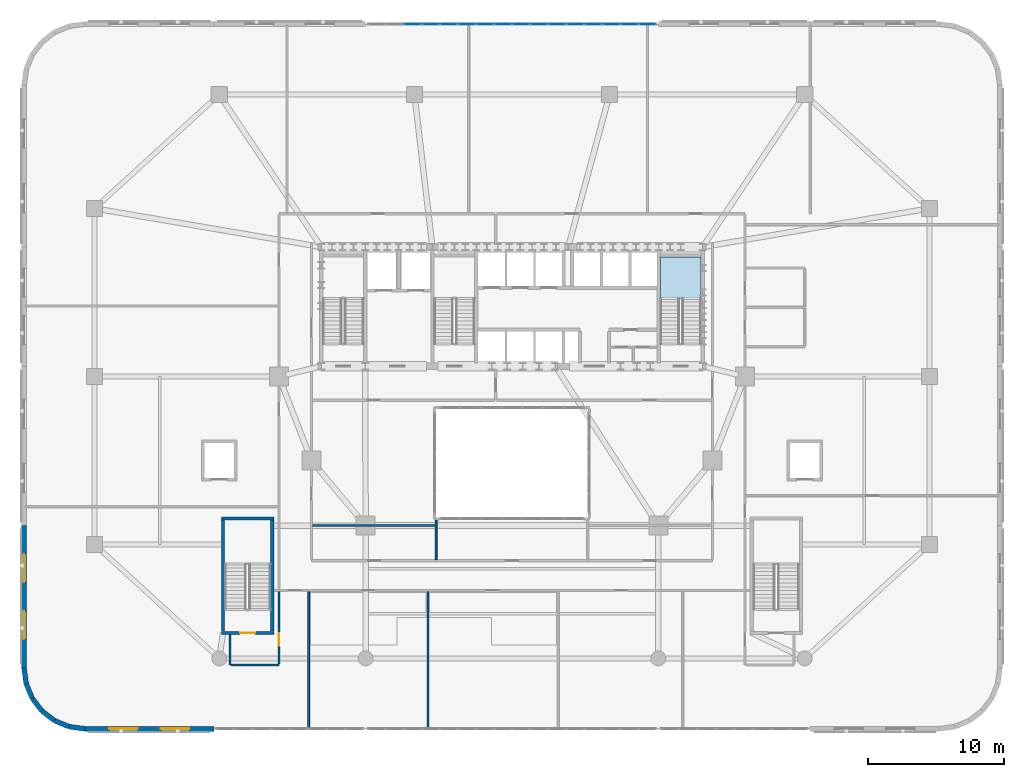
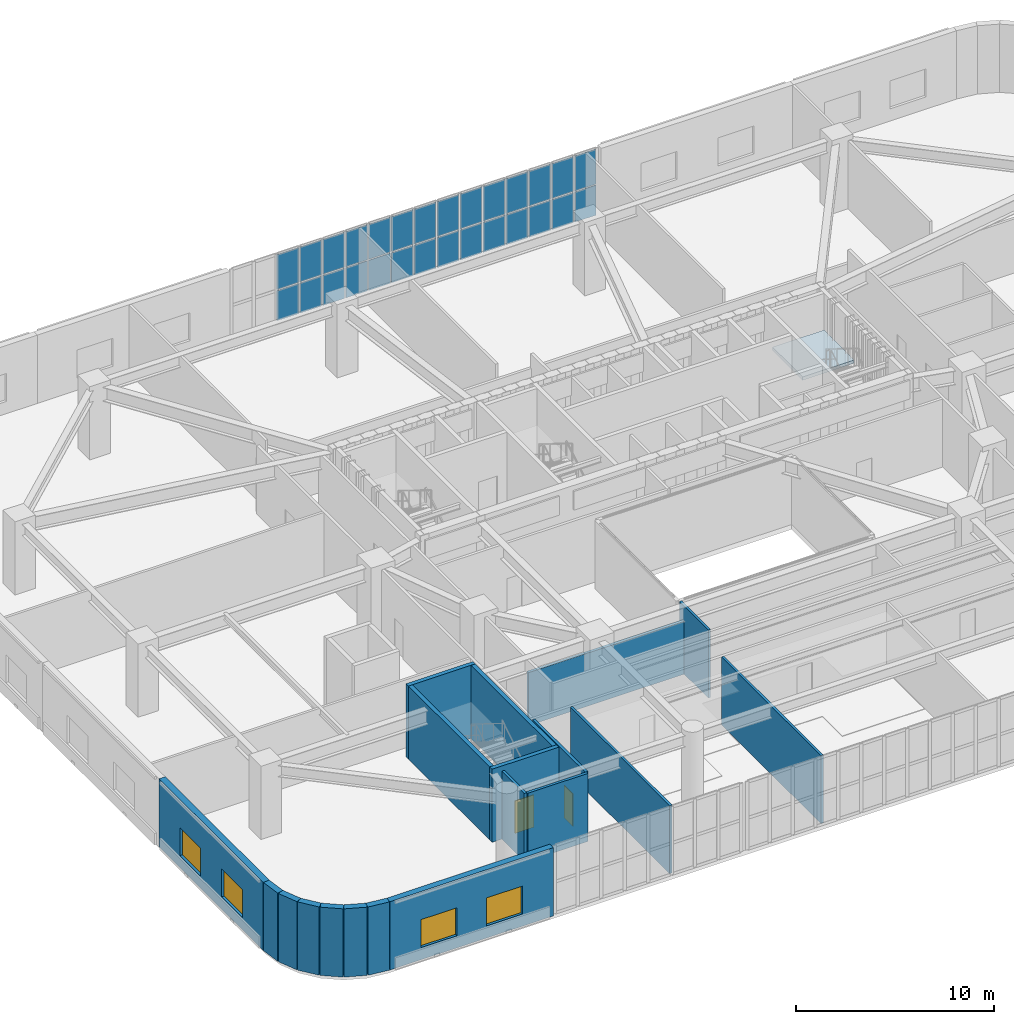
# One storey, part 13 of 25: 28 plates, 19 walls, 4 windows, 2 doors, 1 slab, 6 openings, 2 elements without a shape of their own.
"""IFC4 building model written with IfcOpenShell, lengths in metres."""

from ifc_helpers import new_model, si_unit, direction, frame, frame_2d, origin, origin_2d, place, context, subcontext, project, spatial, polyline, rectangle, outline, extrude, material, layer, layer_set, type_object, element, fill, aggregate, save


model = new_model("IFC4")

# Units and contexts
model_context = context("Model", 3, precision=1e-05, world=origin(), true_north=direction((0.0, 1.0)))
body_context = subcontext(model_context, "Body", "Model", "MODEL_VIEW")
ifc_project = project(units=[si_unit("LENGTHUNIT", "METRE"), si_unit("AREAUNIT", "SQUARE_METRE"), si_unit("VOLUMEUNIT", "CUBIC_METRE"), si_unit("PLANEANGLEUNIT", "RADIAN"), si_unit("MASSUNIT", "GRAM", prefix="KILO")], contexts=[model_context])

# Site, building, storey
site_placement = place(None, origin())
site = spatial("IfcSite", under=ifc_project, at=site_placement, CompositionType="ELEMENT")
building_placement = place(site_placement, origin())
building = spatial("IfcBuilding", under=site, at=building_placement, Name="Haldorwick Loom Tower", CompositionType="ELEMENT")
storey_placement = place(building_placement, frame((0.0, 0.0, 15.0)))
storey = spatial("IfcBuildingStorey", under=building, at=storey_placement, Name="L03", CompositionType="ELEMENT", Elevation=15.0)

# Curtain wall, plates
ifc_material_1 = material(Name="Thermally Broken Anodized Aluminium Curtain Wall Framing", Category="aluminium")
curtain_wall_type = type_object("IfcCurtainWallType", Name="ARC-CW-02", PredefinedType="NOTDEFINED", material=ifc_material_1)
curtain_wall_placement = place(storey_placement, origin())
curtain_wall = element("IfcCurtainWall", 1, at=curtain_wall_placement, inside=storey, type_object=curtain_wall_type, Name="L03 Facade Curtain Wall CW-02 Bay 19", PredefinedType="NOTDEFINED")
ifc_material_2 = material(Name="Triple-Glazed Low-E Argon Insulated Glazing Unit", Category="glass")
ifc_layer_1 = layer(ifc_material_2, 0.0400390625, Name="Triple-Glazed Low-E Argon Insulated Glazing Unit", Category="glass")
ifc_layer_set_1 = layer_set([ifc_layer_1], Name="Triple-Glazed Low-E Argon Insulated Glazing Unit")
plate_type = type_object("IfcPlateType", Name="ARC-CWP-02", PredefinedType="CURTAIN_PANEL", material=ifc_layer_set_1)
plate_1_placement = place(storey_placement, frame((45.976318359375, 52.0, 0.06982421875), z_axis=(0.0, 0.0, 1.0), x_axis=(-1.0, 0.0, 0.0)))
plate_1 = element("IfcPlate", 2, at=plate_1_placement, type_object=plate_type, Name="CW-02 panel 1.1", PredefinedType="CURTAIN_PANEL", context=body_context, shape_type="SweptSolid", body=[
    extrude(rectangle(XDim=1.2275390625, YDim=0.0400390625, at=origin_2d()), origin(), (0.0, 0.0, 1.0), 1.844970703125),
])
plate_2_placement = place(storey_placement, frame((45.976318359375, 52.0, 1.985107421875), z_axis=(0.0, 0.0, 1.0), x_axis=(-1.0, 0.0, 0.0)))
plate_2 = element("IfcPlate", 3, at=plate_2_placement, type_object=plate_type, Name="CW-02 panel 1.2", PredefinedType="CURTAIN_PANEL", context=body_context, shape_type="SweptSolid", body=[
    extrude(rectangle(XDim=1.2275390625, YDim=0.0400390625, at=origin_2d()), origin(), (0.0, 0.0, 1.0), 2.14501953125),
])
plate_3_placement = place(storey_placement, frame((44.6611328125, 52.0, 0.06982421875), z_axis=(0.0, 0.0, 1.0), x_axis=(-1.0, 0.0, 0.0)))
plate_3 = element("IfcPlate", 4, at=plate_3_placement, type_object=plate_type, Name="CW-02 panel 2.1", PredefinedType="CURTAIN_PANEL", context=body_context, shape_type="SweptSolid", body=[
    extrude(rectangle(XDim=1.262451171875, YDim=0.0400390625, at=origin_2d()), origin(), (0.0, 0.0, 1.0), 1.844970703125),
])
plate_4_placement = place(storey_placement, frame((44.6611328125, 52.0, 1.985107421875), z_axis=(0.0, 0.0, 1.0), x_axis=(-1.0, 0.0, 0.0)))
plate_4 = element("IfcPlate", 5, at=plate_4_placement, type_object=plate_type, Name="CW-02 panel 2.2", PredefinedType="CURTAIN_PANEL", context=body_context, shape_type="SweptSolid", body=[
    extrude(rectangle(XDim=1.262451171875, YDim=0.0400390625, at=origin_2d()), origin(), (0.0, 0.0, 1.0), 2.14501953125),
])
plate_5_placement = place(storey_placement, frame((43.328857421875, 52.0, 0.06982421875), z_axis=(0.0, 0.0, 1.0), x_axis=(-1.0, 0.0, 0.0)))
plate_5 = element("IfcPlate", 6, at=plate_5_placement, type_object=plate_type, Name="CW-02 panel 3.1", PredefinedType="CURTAIN_PANEL", context=body_context, shape_type="SweptSolid", body=[
    extrude(rectangle(XDim=1.262451171875, YDim=0.0400390625, at=origin_2d()), origin(), (0.0, 0.0, 1.0), 1.844970703125),
])
plate_6_placement = place(storey_placement, frame((43.328857421875, 52.0, 1.985107421875), z_axis=(0.0, 0.0, 1.0), x_axis=(-1.0, 0.0, 0.0)))
plate_6 = element("IfcPlate", 7, at=plate_6_placement, type_object=plate_type, Name="CW-02 panel 3.2", PredefinedType="CURTAIN_PANEL", context=body_context, shape_type="SweptSolid", body=[
    extrude(rectangle(XDim=1.262451171875, YDim=0.0400390625, at=origin_2d()), origin(), (0.0, 0.0, 1.0), 2.14501953125),
])
plate_7_placement = place(storey_placement, frame((41.996337890625, 52.0, 0.06982421875), z_axis=(0.0, 0.0, 1.0), x_axis=(-1.0, 0.0, 0.0)))
plate_7 = element("IfcPlate", 8, at=plate_7_placement, type_object=plate_type, Name="CW-02 panel 4.1", PredefinedType="CURTAIN_PANEL", context=body_context, shape_type="SweptSolid", body=[
    extrude(rectangle(XDim=1.262451171875, YDim=0.0400390625, at=origin_2d()), origin(), (0.0, 0.0, 1.0), 1.844970703125),
])
plate_8_placement = place(storey_placement, frame((41.996337890625, 52.0, 1.985107421875), z_axis=(0.0, 0.0, 1.0), x_axis=(-1.0, 0.0, 0.0)))
plate_8 = element("IfcPlate", 9, at=plate_8_placement, type_object=plate_type, Name="CW-02 panel 4.2", PredefinedType="CURTAIN_PANEL", context=body_context, shape_type="SweptSolid", body=[
    extrude(rectangle(XDim=1.262451171875, YDim=0.0400390625, at=origin_2d()), origin(), (0.0, 0.0, 1.0), 2.14501953125),
])
plate_9_placement = place(storey_placement, frame((40.663818359375, 52.0, 0.06982421875), z_axis=(0.0, 0.0, 1.0), x_axis=(-1.0, 0.0, 0.0)))
plate_9 = element("IfcPlate", 10, at=plate_9_placement, type_object=plate_type, Name="CW-02 panel 5.1", PredefinedType="CURTAIN_PANEL", context=body_context, shape_type="SweptSolid", body=[
    extrude(rectangle(XDim=1.262451171875, YDim=0.0400390625, at=origin_2d()), origin(), (0.0, 0.0, 1.0), 1.844970703125),
])
plate_10_placement = place(storey_placement, frame((40.663818359375, 52.0, 1.985107421875), z_axis=(0.0, 0.0, 1.0), x_axis=(-1.0, 0.0, 0.0)))
plate_10 = element("IfcPlate", 11, at=plate_10_placement, type_object=plate_type, Name="CW-02 panel 5.2", PredefinedType="CURTAIN_PANEL", context=body_context, shape_type="SweptSolid", body=[
    extrude(rectangle(XDim=1.262451171875, YDim=0.0400390625, at=origin_2d()), origin(), (0.0, 0.0, 1.0), 2.14501953125),
])
plate_11_placement = place(storey_placement, frame((39.331298828125, 52.0, 0.06982421875), z_axis=(0.0, 0.0, 1.0), x_axis=(-1.0, 0.0, 0.0)))
plate_11 = element("IfcPlate", 12, at=plate_11_placement, type_object=plate_type, Name="CW-02 panel 6.1", PredefinedType="CURTAIN_PANEL", context=body_context, shape_type="SweptSolid", body=[
    extrude(rectangle(XDim=1.262451171875, YDim=0.0400390625, at=origin_2d()), origin(), (0.0, 0.0, 1.0), 1.844970703125),
])
plate_12_placement = place(storey_placement, frame((39.331298828125, 52.0, 1.985107421875), z_axis=(0.0, 0.0, 1.0), x_axis=(-1.0, 0.0, 0.0)))
plate_12 = element("IfcPlate", 13, at=plate_12_placement, type_object=plate_type, Name="CW-02 panel 6.2", PredefinedType="CURTAIN_PANEL", context=body_context, shape_type="SweptSolid", body=[
    extrude(rectangle(XDim=1.262451171875, YDim=0.0400390625, at=origin_2d()), origin(), (0.0, 0.0, 1.0), 2.14501953125),
])
plate_13_placement = place(storey_placement, frame((37.998779296875, 52.0, 0.06982421875), z_axis=(0.0, 0.0, 1.0), x_axis=(-1.0, 0.0, 0.0)))
plate_13 = element("IfcPlate", 14, at=plate_13_placement, type_object=plate_type, Name="CW-02 panel 7.1", PredefinedType="CURTAIN_PANEL", context=body_context, shape_type="SweptSolid", body=[
    extrude(rectangle(XDim=1.262451171875, YDim=0.0400390625, at=origin_2d()), origin(), (0.0, 0.0, 1.0), 1.844970703125),
])
plate_14_placement = place(storey_placement, frame((37.998779296875, 52.0, 1.985107421875), z_axis=(0.0, 0.0, 1.0), x_axis=(-1.0, 0.0, 0.0)))
plate_14 = element("IfcPlate", 15, at=plate_14_placement, type_object=plate_type, Name="CW-02 panel 7.2", PredefinedType="CURTAIN_PANEL", context=body_context, shape_type="SweptSolid", body=[
    extrude(rectangle(XDim=1.262451171875, YDim=0.0400390625, at=origin_2d()), origin(), (0.0, 0.0, 1.0), 2.14501953125),
])
plate_15_placement = place(storey_placement, frame((36.666259765625, 52.0, 0.06982421875), z_axis=(0.0, 0.0, 1.0), x_axis=(-1.0, 0.0, 0.0)))
plate_15 = element("IfcPlate", 16, at=plate_15_placement, type_object=plate_type, Name="CW-02 panel 8.1", PredefinedType="CURTAIN_PANEL", context=body_context, shape_type="SweptSolid", body=[
    extrude(rectangle(XDim=1.262451171875, YDim=0.0400390625, at=origin_2d()), origin(), (0.0, 0.0, 1.0), 1.844970703125),
])
plate_16_placement = place(storey_placement, frame((36.666259765625, 52.0, 1.985107421875), z_axis=(0.0, 0.0, 1.0), x_axis=(-1.0, 0.0, 0.0)))
plate_16 = element("IfcPlate", 17, at=plate_16_placement, type_object=plate_type, Name="CW-02 panel 8.2", PredefinedType="CURTAIN_PANEL", context=body_context, shape_type="SweptSolid", body=[
    extrude(rectangle(XDim=1.262451171875, YDim=0.0400390625, at=origin_2d()), origin(), (0.0, 0.0, 1.0), 2.14501953125),
])
plate_17_placement = place(storey_placement, frame((35.333740234375, 52.0, 0.06982421875), z_axis=(0.0, 0.0, 1.0), x_axis=(-1.0, 0.0, 0.0)))
plate_17 = element("IfcPlate", 18, at=plate_17_placement, type_object=plate_type, Name="CW-02 panel 9.1", PredefinedType="CURTAIN_PANEL", context=body_context, shape_type="SweptSolid", body=[
    extrude(rectangle(XDim=1.262451171875, YDim=0.0400390625, at=origin_2d()), origin(), (0.0, 0.0, 1.0), 1.844970703125),
])
plate_18_placement = place(storey_placement, frame((35.333740234375, 52.0, 1.985107421875), z_axis=(0.0, 0.0, 1.0), x_axis=(-1.0, 0.0, 0.0)))
plate_18 = element("IfcPlate", 19, at=plate_18_placement, type_object=plate_type, Name="CW-02 panel 9.2", PredefinedType="CURTAIN_PANEL", context=body_context, shape_type="SweptSolid", body=[
    extrude(rectangle(XDim=1.262451171875, YDim=0.0400390625, at=origin_2d()), origin(), (0.0, 0.0, 1.0), 2.14501953125),
])
plate_19_placement = place(storey_placement, frame((34.001220703125, 52.0, 0.06982421875), z_axis=(0.0, 0.0, 1.0), x_axis=(-1.0, 0.0, 0.0)))
plate_19 = element("IfcPlate", 20, at=plate_19_placement, type_object=plate_type, Name="CW-02 panel 10.1", PredefinedType="CURTAIN_PANEL", context=body_context, shape_type="SweptSolid", body=[
    extrude(rectangle(XDim=1.262451171875, YDim=0.0400390625, at=origin_2d()), origin(), (0.0, 0.0, 1.0), 1.844970703125),
])
plate_20_placement = place(storey_placement, frame((34.001220703125, 52.0, 1.985107421875), z_axis=(0.0, 0.0, 1.0), x_axis=(-1.0, 0.0, 0.0)))
plate_20 = element("IfcPlate", 21, at=plate_20_placement, type_object=plate_type, Name="CW-02 panel 10.2", PredefinedType="CURTAIN_PANEL", context=body_context, shape_type="SweptSolid", body=[
    extrude(rectangle(XDim=1.262451171875, YDim=0.0400390625, at=origin_2d()), origin(), (0.0, 0.0, 1.0), 2.14501953125),
])
plate_21_placement = place(storey_placement, frame((32.668701171875, 52.0, 0.06982421875), z_axis=(0.0, 0.0, 1.0), x_axis=(-1.0, 0.0, 0.0)))
plate_21 = element("IfcPlate", 22, at=plate_21_placement, type_object=plate_type, Name="CW-02 panel 11.1", PredefinedType="CURTAIN_PANEL", context=body_context, shape_type="SweptSolid", body=[
    extrude(rectangle(XDim=1.262451171875, YDim=0.0400390625, at=origin_2d()), origin(), (0.0, 0.0, 1.0), 1.844970703125),
])
plate_22_placement = place(storey_placement, frame((32.668701171875, 52.0, 1.985107421875), z_axis=(0.0, 0.0, 1.0), x_axis=(-1.0, 0.0, 0.0)))
plate_22 = element("IfcPlate", 23, at=plate_22_placement, type_object=plate_type, Name="CW-02 panel 11.2", PredefinedType="CURTAIN_PANEL", context=body_context, shape_type="SweptSolid", body=[
    extrude(rectangle(XDim=1.262451171875, YDim=0.0400390625, at=origin_2d()), origin(), (0.0, 0.0, 1.0), 2.14501953125),
])
plate_23_placement = place(storey_placement, frame((31.336181640625, 52.0, 0.06982421875), z_axis=(0.0, 0.0, 1.0), x_axis=(-1.0, 0.0, 0.0)))
plate_23 = element("IfcPlate", 24, at=plate_23_placement, type_object=plate_type, Name="CW-02 panel 12.1", PredefinedType="CURTAIN_PANEL", context=body_context, shape_type="SweptSolid", body=[
    extrude(rectangle(XDim=1.262451171875, YDim=0.0400390625, at=origin_2d()), origin(), (0.0, 0.0, 1.0), 1.844970703125),
])
plate_24_placement = place(storey_placement, frame((31.336181640625, 52.0, 1.985107421875), z_axis=(0.0, 0.0, 1.0), x_axis=(-1.0, 0.0, 0.0)))
plate_24 = element("IfcPlate", 25, at=plate_24_placement, type_object=plate_type, Name="CW-02 panel 12.2", PredefinedType="CURTAIN_PANEL", context=body_context, shape_type="SweptSolid", body=[
    extrude(rectangle(XDim=1.262451171875, YDim=0.0400390625, at=origin_2d()), origin(), (0.0, 0.0, 1.0), 2.14501953125),
])
plate_25_placement = place(storey_placement, frame((30.003662109375, 52.0, 0.06982421875), z_axis=(0.0, 0.0, 1.0), x_axis=(-1.0, 0.0, 0.0)))
plate_25 = element("IfcPlate", 26, at=plate_25_placement, type_object=plate_type, Name="CW-02 panel 13.1", PredefinedType="CURTAIN_PANEL", context=body_context, shape_type="SweptSolid", body=[
    extrude(rectangle(XDim=1.262451171875, YDim=0.0400390625, at=origin_2d()), origin(), (0.0, 0.0, 1.0), 1.844970703125),
])
plate_26_placement = place(storey_placement, frame((30.003662109375, 52.0, 1.985107421875), z_axis=(0.0, 0.0, 1.0), x_axis=(-1.0, 0.0, 0.0)))
plate_26 = element("IfcPlate", 27, at=plate_26_placement, type_object=plate_type, Name="CW-02 panel 13.2", PredefinedType="CURTAIN_PANEL", context=body_context, shape_type="SweptSolid", body=[
    extrude(rectangle(XDim=1.262451171875, YDim=0.0400390625, at=origin_2d()), origin(), (0.0, 0.0, 1.0), 2.14501953125),
])
plate_27_placement = place(storey_placement, frame((28.671142578125, 52.0, 0.06982421875), z_axis=(0.0, 0.0, 1.0), x_axis=(-1.0, 0.0, 0.0)))
plate_27 = element("IfcPlate", 28, at=plate_27_placement, type_object=plate_type, Name="CW-02 panel 14.1", PredefinedType="CURTAIN_PANEL", context=body_context, shape_type="SweptSolid", body=[
    extrude(rectangle(XDim=1.262451171875, YDim=0.0400390625, at=origin_2d()), origin(), (0.0, 0.0, 1.0), 1.844970703125),
])
plate_28_placement = place(storey_placement, frame((28.671142578125, 52.0, 1.985107421875), z_axis=(0.0, 0.0, 1.0), x_axis=(-1.0, 0.0, 0.0)))
plate_28 = element("IfcPlate", 29, at=plate_28_placement, type_object=plate_type, Name="CW-02 panel 14.2", PredefinedType="CURTAIN_PANEL", context=body_context, shape_type="SweptSolid", body=[
    extrude(rectangle(XDim=1.262451171875, YDim=0.0400390625, at=origin_2d()), origin(), (0.0, 0.0, 1.0), 2.14501953125),
])
aggregate(curtain_wall, [plate_1, plate_2, plate_3, plate_4, plate_5, plate_6, plate_7, plate_8, plate_9, plate_10, plate_11, plate_12, plate_13, plate_14, plate_15, plate_16, plate_17, plate_18, plate_19, plate_20, plate_21, plate_22, plate_23, plate_24, plate_25, plate_26, plate_27, plate_28])

# Stair, slab
ifc_material_3 = material(Name="Concrete C40 (40 MPa)", Category="concrete")
stair_type = type_object("IfcStairType", Name="STR-STR-CORE", PredefinedType="HALF_TURN_STAIR", material=ifc_material_3)
stair_placement = place(storey_placement, origin())
stair = element("IfcStair", 30, at=stair_placement, inside=storey, type_object=stair_type, Name="L03 Exit Stair ST-02", PredefinedType="HALF_TURN_STAIR")
ifc_layer_2 = layer(ifc_material_3, 0.199951171875, Name="Concrete C40 (40 MPa)", Category="concrete")
ifc_layer_set_2 = layer_set([ifc_layer_2], Name="Concrete C40 (40 MPa)")
slab_type = type_object("IfcSlabType", Name="STR-SLB-LAND200", PredefinedType="LANDING", material=ifc_layer_set_2)
slab_placement = place(storey_placement, frame((0.0, 0.0, 2.050048828125)))
slab = element("IfcSlab", 31, at=slab_placement, type_object=slab_type, Name="ST-02 landing 1", PredefinedType="LANDING", context=body_context, shape_type="SweptSolid", body=[
    extrude(outline(polyline([(49.949951171875, 31.760009765625), (49.949951171875, 34.800048828125), (46.949951171875, 34.800048828125), (46.949951171875, 31.760009765625), (49.949951171875, 31.760009765625)])), origin(), (0.0, 0.0, 1.0), 0.199951171875),
])
aggregate(stair, [slab])

# Wall, openings, windows
ifc_material_4 = material(Name="Pressed Clay Face Brick and Insulated Masonry Backup Assembly", Category="masonry")
ifc_layer_3 = layer(ifc_material_4, 0.360107421875, Name="Pressed Clay Face Brick and Insulated Masonry Backup Assembly", Category="masonry")
ifc_layer_set_3 = layer_set([ifc_layer_3], Name="Pressed Clay Face Brick and Insulated Masonry Backup Assembly")
wall_type_1 = type_object("IfcWallType", Name="ARC-WL-EXT360", PredefinedType="STANDARD", material=ifc_layer_set_3)
wall_1_placement = place(storey_placement, frame((0.0, 15.0, 0.0), z_axis=(0.0, 0.0, 1.0), x_axis=(0.0, -1.0, 0.0)))
wall_1 = element("IfcWall", 32, at=wall_1_placement, inside=storey, type_object=wall_type_1, Name="L03 Brick Pier and Spandrel Wall 31", PredefinedType="STANDARD", context=body_context, shape_type="SweptSolid", body=[
    extrude(rectangle(XDim=10.5, YDim=0.360107421875, at=frame_2d((5.25, 0.0))), origin(), (0.0, 0.0, 1.0), 4.199951171875),
])
opening_1_placement = place(wall_1_placement, frame((2.10009765625, 0.0, 0.75)))
opening_1 = element("IfcOpeningElement", 33, at=opening_1_placement, cuts=wall_1, Name="Opening W-04", PredefinedType="OPENING", context=body_context, shape_type="SweptSolid", body=[
    extrude(rectangle(XDim=2.10009765625, YDim=1.719970703125, at=frame_2d((1.050048828125, 0.85986328125))), frame((0.0, 0.18994140625, 0.0), z_axis=(0.0, -1.0, 0.0), x_axis=(1.0, 0.0, 0.0)), (0.0, 0.0, 1.0), 0.380126953125),
])
opening_2_placement = place(wall_1_placement, frame((6.300048828125, 0.0, 0.75)))
opening_2 = element("IfcOpeningElement", 34, at=opening_2_placement, cuts=wall_1, Name="Opening W-04", PredefinedType="OPENING", context=body_context, shape_type="SweptSolid", body=[
    extrude(rectangle(XDim=2.10009765625, YDim=1.719970703125, at=frame_2d((1.050048828125, 0.85986328125))), frame((0.0, 0.18994140625, 0.0), z_axis=(0.0, -1.0, 0.0), x_axis=(1.0, 0.0, 0.0)), (0.0, 0.0, 1.0), 0.380126953125),
])
window_type = type_object("IfcWindowType", Name="ARC-WIN-W210", PartitioningType="SINGLE_PANEL", PredefinedType="WINDOW", material=ifc_material_2)
window_1_placement = place(opening_1_placement, origin())
window_1 = element("IfcWindow", 35, at=window_1_placement, inside=storey, type_object=window_type, Name="L03 Deep-Set Zone 7A Window 31", OverallHeight=1.719970703125, OverallWidth=2.10009765625, PartitioningType="SINGLE_PANEL", PredefinedType="WINDOW", context=body_context, shape_type="SweptSolid", body=[
    extrude(rectangle(XDim=2.10009765625, YDim=1.719970703125, at=frame_2d((1.050048828125, 0.85986328125))), frame((0.0, 0.030029296875, 0.0), z_axis=(0.0, -1.0, 0.0), x_axis=(1.0, 0.0, 0.0)), (0.0, 0.0, 1.0), 0.06005859375),
])
fill(opening_1, window_1)
window_2_placement = place(opening_2_placement, origin())
window_2 = element("IfcWindow", 36, at=window_2_placement, inside=storey, type_object=window_type, Name="L03 Deep-Set Zone 7A Window 31", OverallHeight=1.719970703125, OverallWidth=2.10009765625, PartitioningType="SINGLE_PANEL", PredefinedType="WINDOW", context=body_context, shape_type="SweptSolid", body=[
    extrude(rectangle(XDim=2.10009765625, YDim=1.719970703125, at=frame_2d((1.050048828125, 0.85986328125))), frame((0.0, 0.030029296875, 0.0), z_axis=(0.0, -1.0, 0.0), x_axis=(1.0, 0.0, 0.0)), (0.0, 0.0, 1.0), 0.06005859375),
])
fill(opening_2, window_2)

# Walls
wall_2_placement = place(storey_placement, frame((0.0, 4.5, 0.0), z_axis=(0.0, 0.0, 1.0), x_axis=(0.130502892298, -0.991447928588, 0.0)))
element("IfcWall", 37, at=wall_2_placement, inside=storey, type_object=wall_type_1, Name="L03 Brick Pier and Spandrel Wall 32", PredefinedType="STANDARD", context=body_context, shape_type="SweptSolid", body=[
    extrude(rectangle(XDim=1.1748046875, YDim=0.360107421875, at=frame_2d((0.58740234375, 0.0))), origin(), (0.0, 0.0, 1.0), 4.199951171875),
])
wall_3_placement = place(storey_placement, frame((0.1533203125, 3.335205078125, 0.0), z_axis=(0.0, 0.0, 1.0), x_axis=(0.382651625058, -0.923892706888, 0.0)))
element("IfcWall", 38, at=wall_3_placement, inside=storey, type_object=wall_type_1, Name="L03 Brick Pier and Spandrel Wall 33", PredefinedType="STANDARD", context=body_context, shape_type="SweptSolid", body=[
    extrude(rectangle(XDim=1.174560546875, YDim=0.360107421875, at=frame_2d((0.58740234375, 0.0))), origin(), (0.0, 0.0, 1.0), 4.199951171875),
])
for number, where, z_axis, x_axis, name in (
    (39, (0.602783203125, 2.25, 0.0), (0.0, 0.0, 1.0), (0.60890698735, -0.79324162823, 0.0), "L03 Brick Pier and Spandrel Wall 34"),
    (40, (1.318115234375, 1.318115234375, 0.0), (0.0, 0.0, 1.0), (0.79324162823, -0.60890698735, 0.0), "L03 Brick Pier and Spandrel Wall 35"),
):
    element("IfcWall", number, at=place(storey_placement, frame(where, z_axis=z_axis, x_axis=x_axis)), inside=storey, type_object=wall_type_1, Name=name, PredefinedType="STANDARD", context=body_context, shape_type="SweptSolid", body=[
        extrude(rectangle(XDim=1.1748046875, YDim=0.360107421875, at=frame_2d((0.58740234375, 0.0))), origin(), (0.0, 0.0, 1.0), 4.199951171875),
    ])
wall_4_placement = place(storey_placement, frame((2.25, 0.602783203125, 0.0), z_axis=(0.0, 0.0, 1.0), x_axis=(0.923892706888, -0.382651625058, 0.0)))
element("IfcWall", 41, at=wall_4_placement, inside=storey, type_object=wall_type_1, Name="L03 Brick Pier and Spandrel Wall 36", PredefinedType="STANDARD", context=body_context, shape_type="SweptSolid", body=[
    extrude(rectangle(XDim=1.174560546875, YDim=0.360107421875, at=frame_2d((0.58740234375, 0.0))), origin(), (0.0, 0.0, 1.0), 4.199951171875),
])
wall_5_placement = place(storey_placement, frame((3.335205078125, 0.1533203125, 0.0), z_axis=(0.0, 0.0, 1.0), x_axis=(0.991447928588, -0.130502892298, 0.0)))
element("IfcWall", 42, at=wall_5_placement, inside=storey, type_object=wall_type_1, Name="L03 Brick Pier and Spandrel Wall 37", PredefinedType="STANDARD", context=body_context, shape_type="SweptSolid", body=[
    extrude(rectangle(XDim=1.1748046875, YDim=0.360107421875, at=frame_2d((0.58740234375, 0.0))), origin(), (0.0, 0.0, 1.0), 4.199951171875),
])

# Wall, openings, windows
wall_6_placement = place(storey_placement, frame((4.5, 0.0, 0.0), z_axis=(0.0, 0.0, 1.0), x_axis=(1.0, 0.0, 0.0)))
wall_6 = element("IfcWall", 43, at=wall_6_placement, inside=storey, type_object=wall_type_1, Name="L03 Brick Pier and Spandrel Wall 38", PredefinedType="STANDARD", context=body_context, shape_type="SweptSolid", body=[
    extrude(rectangle(XDim=9.5, YDim=0.360107421875, at=frame_2d((4.75, 0.0))), origin(), (0.0, 0.0, 1.0), 4.199951171875),
])
opening_3_placement = place(wall_6_placement, frame((1.800048828125, 0.0, 0.75)))
opening_3 = element("IfcOpeningElement", 44, at=opening_3_placement, cuts=wall_6, Name="Opening W-04", PredefinedType="OPENING", context=body_context, shape_type="SweptSolid", body=[
    extrude(rectangle(XDim=2.10009765625, YDim=1.719970703125, at=frame_2d((1.050048828125, 0.85986328125))), frame((0.0, 0.18994140625, 0.0), z_axis=(0.0, -1.0, 0.0), x_axis=(1.0, 0.0, 0.0)), (0.0, 0.0, 1.0), 0.380126953125),
])
opening_4_placement = place(wall_6_placement, frame((5.60009765625, 0.0, 0.75)))
opening_4 = element("IfcOpeningElement", 45, at=opening_4_placement, cuts=wall_6, Name="Opening W-04", PredefinedType="OPENING", context=body_context, shape_type="SweptSolid", body=[
    extrude(rectangle(XDim=2.10009765625, YDim=1.719970703125, at=frame_2d((1.050048828125, 0.85986328125))), frame((0.0, 0.18994140625, 0.0), z_axis=(0.0, -1.0, 0.0), x_axis=(1.0, 0.0, 0.0)), (0.0, 0.0, 1.0), 0.380126953125),
])
window_3_placement = place(opening_3_placement, origin())
window_3 = element("IfcWindow", 46, at=window_3_placement, inside=storey, type_object=window_type, Name="L03 Deep-Set Zone 7A Window 38", OverallHeight=1.719970703125, OverallWidth=2.10009765625, PartitioningType="SINGLE_PANEL", PredefinedType="WINDOW", context=body_context, shape_type="SweptSolid", body=[
    extrude(rectangle(XDim=2.10009765625, YDim=1.719970703125, at=frame_2d((1.050048828125, 0.85986328125))), frame((0.0, 0.030029296875, 0.0), z_axis=(0.0, -1.0, 0.0), x_axis=(1.0, 0.0, 0.0)), (0.0, 0.0, 1.0), 0.06005859375),
])
fill(opening_3, window_3)
window_4_placement = place(opening_4_placement, origin())
window_4 = element("IfcWindow", 47, at=window_4_placement, inside=storey, type_object=window_type, Name="L03 Deep-Set Zone 7A Window 38", OverallHeight=1.719970703125, OverallWidth=2.10009765625, PartitioningType="SINGLE_PANEL", PredefinedType="WINDOW", context=body_context, shape_type="SweptSolid", body=[
    extrude(rectangle(XDim=2.10009765625, YDim=1.719970703125, at=frame_2d((1.050048828125, 0.85986328125))), frame((0.0, 0.030029296875, 0.0), z_axis=(0.0, -1.0, 0.0), x_axis=(1.0, 0.0, 0.0)), (0.0, 0.0, 1.0), 0.06005859375),
])
fill(opening_4, window_4)

# Walls
ifc_material_5 = material(Name="Fire-Rated Type X Gypsum Stud Assembly EI 60")
ifc_layer_4 = layer(ifc_material_5, 0.159912109375, Name="Fire-Rated Type X Gypsum Stud Assembly EI 60")
ifc_layer_set_4 = layer_set([ifc_layer_4], Name="Fire-Rated Type X Gypsum Stud Assembly EI 60")
wall_type_2 = type_object("IfcWallType", Name="ARC-WL-FIRE160", PredefinedType="PARTITIONING", material=ifc_layer_set_4)
wall_7_placement = place(storey_placement, frame((15.199951171875, 4.699951171875, 0.0), z_axis=(0.0, 0.0, 1.0), x_axis=(0.0, 1.0, 0.0)))
element("IfcWall", 48, at=wall_7_placement, inside=storey, type_object=wall_type_2, Name="L03 Podium Partition L03-SP1W", PredefinedType="PARTITIONING", context=body_context, shape_type="SweptSolid", body=[
    extrude(rectangle(XDim=2.257080078125, YDim=0.159912109375, at=frame_2d((1.12841796875, 0.0))), origin(), (0.0, 0.0, 1.0), 4.18505859375),
])
wall_8_placement = place(storey_placement, frame((15.282958984375, 4.699951171875, 0.0), z_axis=(0.0, 0.0, 1.0), x_axis=(1.0, 0.0, 0.0)))
element("IfcWall", 49, at=wall_8_placement, inside=storey, type_object=wall_type_2, Name="L03 Podium Partition L03-SP1S", PredefinedType="PARTITIONING", context=body_context, shape_type="SweptSolid", body=[
    extrude(rectangle(XDim=3.51708984375, YDim=0.159912109375, at=frame_2d((1.758544921875, 0.0))), origin(), (0.0, 0.0, 1.0), 4.18505859375),
])

# Wall, opening, door
wall_9_placement = place(storey_placement, frame((18.800048828125, 4.782958984375, 0.0), z_axis=(0.0, 0.0, 1.0), x_axis=(0.0, 1.0, 0.0)))
wall_9 = element("IfcWall", 50, at=wall_9_placement, inside=storey, type_object=wall_type_2, Name="L03 Podium Partition L03-SP1E", PredefinedType="PARTITIONING", context=body_context, shape_type="SweptSolid", body=[
    extrude(rectangle(XDim=5.333984375, YDim=0.159912109375, at=frame_2d((2.6669921875, 0.0))), origin(), (0.0, 0.0, 1.0), 4.18505859375),
])
opening_5_placement = place(wall_9_placement, frame((1.35302734375, 0.0, 0.0)))
opening_5 = element("IfcOpeningElement", 51, at=opening_5_placement, cuts=wall_9, Name="Opening D-FD60A", PredefinedType="OPENING", context=body_context, shape_type="SweptSolid", body=[
    extrude(rectangle(XDim=0.89990234375, YDim=2.0, at=frame_2d((0.449951171875, 1.0))), frame((0.0, 0.08984375, 0.0), z_axis=(0.0, -1.0, 0.0), x_axis=(1.0, 0.0, 0.0)), (0.0, 0.0, 1.0), 0.179931640625),
])
ifc_material_6 = material(Name="Hollow Steel Fire Door Assembly", Category="steel")
door_type_1 = type_object("IfcDoorType", Name="ARC-DR-FD60-90", OperationType="NOTDEFINED", PredefinedType="DOOR", material=ifc_material_6)
door_1_placement = place(opening_5_placement, frame((0.89990234375, 0.0, 0.0), z_axis=(0.0, 0.0, 1.0), x_axis=(-1.0, 0.0, 0.0)))
door_1 = element("IfcDoor", 52, at=door_1_placement, inside=storey, type_object=door_type_1, Name="L03 L03 West Stair Vestibule to Outpatient Waiting Hall 6 Door", OperationType="SINGLE_SWING_RIGHT", OverallHeight=2.0, OverallWidth=0.89990234375, PredefinedType="DOOR", context=body_context, shape_type="SweptSolid", body=[
    extrude(rectangle(XDim=0.89990234375, YDim=2.0, at=frame_2d((0.449951171875, 1.0))), frame((0.0, 0.02490234375, 0.0), z_axis=(0.0, -1.0, 0.0), x_axis=(1.0, 0.0, 0.0)), (0.0, 0.0, 1.0), 0.050048828125),
])
fill(opening_5, door_1)

# Walls
wall_10_placement = place(storey_placement, frame((21.282958984375, 15.0, 0.0), z_axis=(0.0, 0.0, 1.0), x_axis=(1.0, 0.0, 0.0)))
element("IfcWall", 53, at=wall_10_placement, inside=storey, type_object=wall_type_2, Name="L03 Podium Partition L03-PTW", PredefinedType="PARTITIONING", context=body_context, shape_type="SweptSolid", body=[
    extrude(rectangle(XDim=9.0439453125, YDim=0.159912109375, at=frame_2d((4.52197265625, 0.0))), origin(), (0.0, 0.0, 1.0), 3.262939453125),
])
ifc_layer_5 = layer(ifc_material_5, 0.139892578125, Name="Fire-Rated Type X Gypsum Stud Assembly EI 60")
ifc_layer_set_5 = layer_set([ifc_layer_5], Name="Fire-Rated Type X Gypsum Stud Assembly EI 60")
wall_type_3 = type_object("IfcWallType", Name="ARC-WL-PART140", PredefinedType="PARTITIONING", material=ifc_layer_set_5)
wall_11_placement = place(storey_placement, frame((30.39990234375, 12.48291015625, 0.0), z_axis=(0.0, 0.0, 1.0), x_axis=(0.0, 1.0, 0.0)))
element("IfcWall", 54, at=wall_11_placement, inside=storey, type_object=wall_type_3, Name="L03 Podium Partition L03-ATW1", PredefinedType="PARTITIONING", context=body_context, shape_type="SweptSolid", body=[
    extrude(rectangle(XDim=2.9140625, YDim=0.139892578125, at=frame_2d((1.45703125, 0.0))), origin(), (0.0, 0.0, 1.0), 4.18505859375),
])
for number, where, z_axis, x_axis, name in (
    (55, (21.0, 0.10009765625, 0.0), (0.0, 0.0, 1.0), (0.0, 1.0, 0.0), "L03 Podium Partition L03-PS-0"),
    (56, (29.800048828125, 0.10009765625, 0.0), (0.0, 0.0, 1.0), (0.0, 1.0, 0.0), "L03 Podium Partition L03-PS-1"),
):
    element("IfcWall", number, at=place(storey_placement, frame(where, z_axis=z_axis, x_axis=x_axis)), inside=storey, type_object=wall_type_3, Name=name, PredefinedType="PARTITIONING", context=body_context, shape_type="SweptSolid", body=[
        extrude(rectangle(XDim=10.016845703125, YDim=0.139892578125, at=frame_2d((5.00830078125, 0.0))), origin(), (0.0, 0.0, 1.0), 4.18505859375),
    ])

# Wall, opening, door
ifc_material_7 = material(Name="Concrete C50 (50 MPa)", Category="concrete")
ifc_layer_6 = layer(ifc_material_7, 0.239990234375, Name="Concrete C50 (50 MPa)", Category="concrete")
ifc_layer_set_6 = layer_set([ifc_layer_6], Name="Concrete C50 (50 MPa)")
wall_type_4 = type_object("IfcWallType", Name="STR-WL-SHAFT240", PredefinedType="SHEAR", material=ifc_layer_set_6)
wall_12_placement = place(storey_placement, frame((14.56005859375, 7.080078125, 0.0), z_axis=(0.0, 0.0, 1.0), x_axis=(1.0, 0.0, 0.0)))
wall_12 = element("IfcWall", 57, at=wall_12_placement, inside=storey, type_object=wall_type_4, Name="L03 Exit Stairwell ST-P1 Wall", PredefinedType="SHEAR", context=body_context, shape_type="SweptSolid", body=[
    extrude(rectangle(XDim=3.8798828125, YDim=0.239990234375, at=frame_2d((1.93994140625, 0.0))), origin(), (0.0, 0.0, 1.0), 4.5),
])
opening_6_placement = place(wall_12_placement, frame((1.389892578125, 0.0, 0.0)))
opening_6 = element("IfcOpeningElement", 58, at=opening_6_placement, cuts=wall_12, Name="Opening D-FD90", PredefinedType="OPENING", context=body_context, shape_type="SweptSolid", body=[
    extrude(rectangle(XDim=1.10009765625, YDim=2.0, at=frame_2d((0.550048828125, 1.0))), frame((0.0, 0.1298828125, 0.0), z_axis=(0.0, -1.0, 0.0), x_axis=(1.0, 0.0, 0.0)), (0.0, 0.0, 1.0), 0.260009765625),
])
door_type_2 = type_object("IfcDoorType", Name="ARC-DR-FD90", OperationType="NOTDEFINED", PredefinedType="DOOR", material=ifc_material_6)
door_2_placement = place(opening_6_placement, origin())
door_2 = element("IfcDoor", 59, at=door_2_placement, inside=storey, type_object=door_type_2, Name="L03 Exit Stairwell ST-P1 Exit Door", OperationType="SINGLE_SWING_LEFT", OverallHeight=2.0, OverallWidth=1.10009765625, PredefinedType="DOOR", context=body_context, shape_type="SweptSolid", body=[
    extrude(rectangle(XDim=1.10009765625, YDim=2.0, at=frame_2d((0.550048828125, 1.0))), frame((0.0, 0.02490234375, 0.0), z_axis=(0.0, -1.0, 0.0), x_axis=(1.0, 0.0, 0.0)), (0.0, 0.0, 1.0), 0.050048828125),
])
fill(opening_6, door_2)

# Walls
wall_13_placement = place(storey_placement, frame((18.43994140625, 15.52001953125, 0.0), z_axis=(0.0, 0.0, 1.0), x_axis=(-1.0, 0.0, 0.0)))
element("IfcWall", 60, at=wall_13_placement, inside=storey, type_object=wall_type_4, Name="L03 Exit Stairwell ST-P1 Wall", PredefinedType="SHEAR", context=body_context, shape_type="SweptSolid", body=[
    extrude(rectangle(XDim=3.8798828125, YDim=0.239990234375, at=frame_2d((1.93994140625, 0.0))), origin(), (0.0, 0.0, 1.0), 4.5),
])
for number, where, z_axis, x_axis, name in (
    (61, (14.679931640625, 7.202880859375, 0.0), (0.0, 0.0, 1.0), (0.0, 1.0, 0.0), "L03 Exit Stairwell ST-P1 Wall"),
    (62, (18.320068359375, 7.202880859375, 0.0), (0.0, 0.0, 1.0), (0.0, 1.0, 0.0), "L03 Exit Stairwell ST-P1 Wall"),
):
    element("IfcWall", number, at=place(storey_placement, frame(where, z_axis=z_axis, x_axis=x_axis)), inside=storey, type_object=wall_type_4, Name=name, PredefinedType="SHEAR", context=body_context, shape_type="SweptSolid", body=[
        extrude(rectangle(XDim=8.194091796875, YDim=0.239990234375, at=frame_2d((4.09716796875, 0.0))), origin(), (0.0, 0.0, 1.0), 4.5),
    ])

save(model, "model.ifc")
